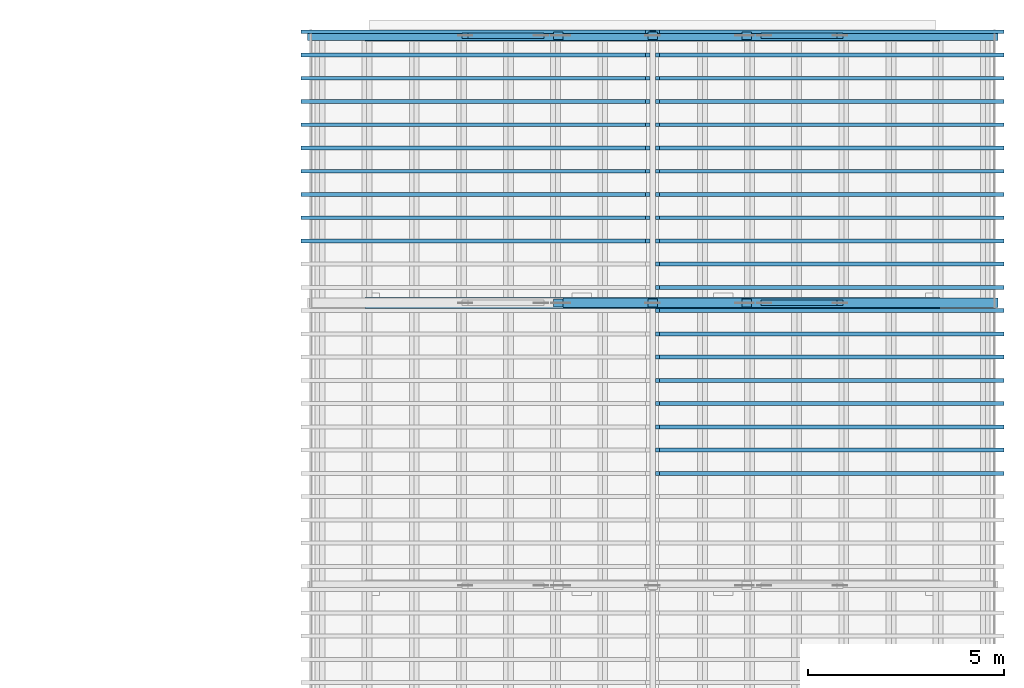
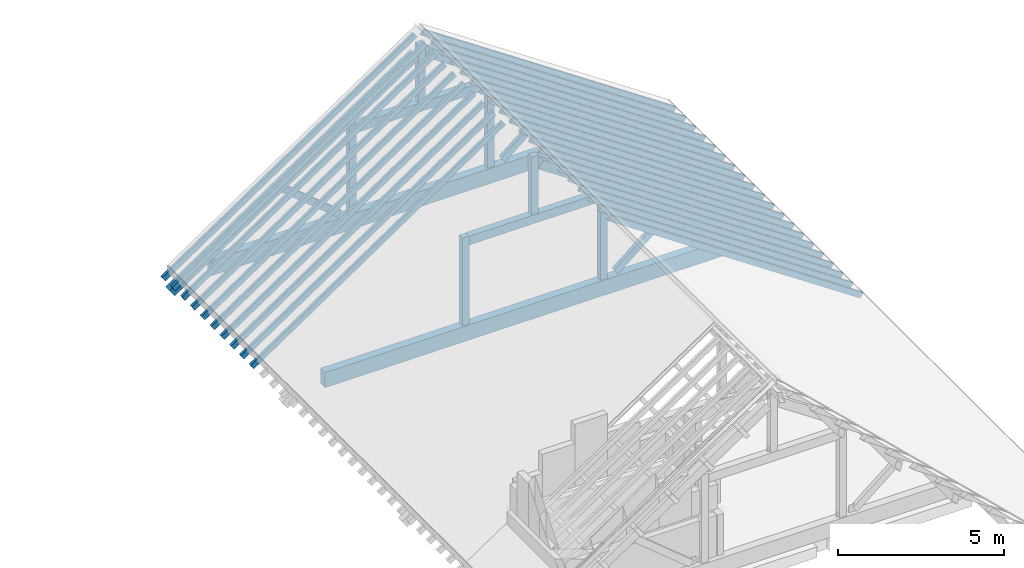
# One storey, part 16 of 51: 44 members, 2 beams.
"""IFC4 building model written with IfcOpenShell, lengths in metres."""

from ifc_helpers import new_model, si_unit, direction, frame, origin, origin_2d, place, context, subcontext, project, spatial, rectangle, extrude, material, material_profile, profile_set, type_object, element, save


model = new_model("IFC4")

# Units and contexts
model_context = context("Model", 3, precision=1e-05, world=origin(), true_north=direction((0.0, 1.0)))
body_context = subcontext(model_context, "Body", "Model", "MODEL_VIEW")
ifc_project = project(units=[si_unit("LENGTHUNIT", "METRE"), si_unit("AREAUNIT", "SQUARE_METRE"), si_unit("VOLUMEUNIT", "CUBIC_METRE"), si_unit("PLANEANGLEUNIT", "RADIAN"), si_unit("MASSUNIT", "GRAM", prefix="KILO")], contexts=[model_context])

# Site, building, storey
site_placement = place(None, origin())
site = spatial("IfcSite", under=ifc_project, at=site_placement, CompositionType="ELEMENT")
building_placement = place(site_placement, origin())
building = spatial("IfcBuilding", under=site, at=building_placement, Name="Mazhai Court Health Centre", CompositionType="ELEMENT")
storey_placement = place(building_placement, frame((0.0, 0.0, 14.10009765625)))
storey = spatial("IfcBuildingStorey", under=building, at=storey_placement, Name="L03", CompositionType="ELEMENT", Elevation=14.10009765625)

# Members
ifc_material_1 = material(Name="Glulam GL24h", Category="wood")
ifc_material_profile_1 = material_profile(ifc_material_1, rectangle(XDim=0.10009765625, YDim=0.199951171875, at=origin_2d()), Name="GL24h 100x200")
ifc_profile_set_1 = profile_set([ifc_material_profile_1], Name="Glulam GL24h")
member_type_1 = type_object("IfcMemberType", Name="GL24h 100x200 rafter", PredefinedType="RAFTER", material=ifc_profile_set_1)
for number, where, z_axis, x_axis, name in (
    (1, (134.10986328125, 43.77490234375, 0.296875), (0.829032291532, 0.0, 0.55920073283), (0.0, 1.0, 0.0), "Rafter RV6-RF64"),
    (2, (134.10986328125, 44.36669921875, 0.296875), (0.829032291532, 0.0, 0.55920073283), (0.0, 1.0, 0.0), "Rafter RV6-RF65"),
    (3, (134.10986328125, 44.958251953125, 0.296875), (0.829032291532, 0.0, 0.55920073283), (0.0, 1.0, 0.0), "Rafter RV6-RF66"),
    (4, (134.10986328125, 45.550048828125, 0.296875), (0.829032291532, 0.0, 0.55920073283), (0.0, 1.0, 0.0), "Rafter RV6-RF67"),
    (5, (134.10986328125, 46.1416015625, 0.296875), (0.829032291532, 0.0, 0.55920073283), (0.0, 1.0, 0.0), "Rafter RV6-RF68"),
    (6, (134.10986328125, 46.7333984375, 0.296875), (0.829032291532, 0.0, 0.55920073283), (0.0, 1.0, 0.0), "Rafter RV6-RF69"),
    (7, (134.10986328125, 47.324951171875, 0.296875), (0.829032291532, 0.0, 0.55920073283), (0.0, 1.0, 0.0), "Rafter RV6-RF70"),
    (8, (134.10986328125, 47.916748046875, 0.296875), (0.829032291532, 0.0, 0.55920073283), (0.0, 1.0, 0.0), "Rafter RV6-RF71"),
    (9, (134.10986328125, 48.50830078125, 0.296875), (0.829032291532, 0.0, 0.55920073283), (0.0, 1.0, 0.0), "Rafter RV6-RF72"),
    (10, (134.10986328125, 49.10009765625, 0.296875), (0.829032291532, 0.0, 0.55920073283), (0.0, 1.0, 0.0), "Rafter RV6-RF73"),
    (11, (151.89013671875, 49.10009765625, 0.296875), (-0.829032291532, 0.0, 0.55920073283), (0.0, -1.0, 0.0), "Rafter RV6-RF74"),
    (12, (151.89013671875, 48.50830078125, 0.296875), (-0.829032291532, 0.0, 0.55920073283), (0.0, -1.0, 0.0), "Rafter RV6-RF75"),
    (13, (151.89013671875, 47.916748046875, 0.296875), (-0.829032291532, 0.0, 0.55920073283), (0.0, -1.0, 0.0), "Rafter RV6-RF76"),
    (14, (151.89013671875, 47.324951171875, 0.296875), (-0.829032291532, 0.0, 0.55920073283), (0.0, -1.0, 0.0), "Rafter RV6-RF77"),
    (15, (151.89013671875, 46.7333984375, 0.296875), (-0.829032291532, 0.0, 0.55920073283), (0.0, -1.0, 0.0), "Rafter RV6-RF78"),
    (16, (151.89013671875, 46.1416015625, 0.296875), (-0.829032291532, 0.0, 0.55920073283), (0.0, -1.0, 0.0), "Rafter RV6-RF79"),
    (17, (151.89013671875, 45.550048828125, 0.296875), (-0.829032291532, 0.0, 0.55920073283), (0.0, -1.0, 0.0), "Rafter RV6-RF80"),
    (18, (151.89013671875, 44.958251953125, 0.296875), (-0.829032291532, 0.0, 0.55920073283), (0.0, -1.0, 0.0), "Rafter RV6-RF81"),
    (19, (151.89013671875, 44.36669921875, 0.296875), (-0.829032291532, 0.0, 0.55920073283), (0.0, -1.0, 0.0), "Rafter RV6-RF82"),
    (20, (151.89013671875, 43.77490234375, 0.296875), (-0.829032291532, 0.0, 0.55920073283), (0.0, -1.0, 0.0), "Rafter RV6-RF83"),
    (21, (151.89013671875, 43.183349609375, 0.296875), (-0.829032291532, 0.0, 0.55920073283), (0.0, -1.0, 0.0), "Rafter RV6-RF84"),
    (22, (151.89013671875, 42.591552734375, 0.296875), (-0.829032291532, 0.0, 0.55920073283), (0.0, -1.0, 0.0), "Rafter RV6-RF85"),
    (23, (151.89013671875, 42.0, 0.296875), (-0.829032291532, 0.0, 0.55920073283), (0.0, -1.0, 0.0), "Rafter RV6-RF86"),
    (24, (151.89013671875, 41.408447265625, 0.296875), (-0.829032291532, 0.0, 0.55920073283), (0.0, -1.0, 0.0), "Rafter RV6-RF87"),
    (25, (151.89013671875, 40.816650390625, 0.296875), (-0.829032291532, 0.0, 0.55920073283), (0.0, -1.0, 0.0), "Rafter RV6-RF88"),
    (26, (151.89013671875, 40.22509765625, 0.296875), (-0.829032291532, 0.0, 0.55920073283), (0.0, -1.0, 0.0), "Rafter RV6-RF89"),
    (27, (151.89013671875, 39.63330078125, 0.296875), (-0.829032291532, 0.0, 0.55920073283), (0.0, -1.0, 0.0), "Rafter RV6-RF90"),
    (28, (151.89013671875, 39.041748046875, 0.296875), (-0.829032291532, 0.0, 0.55920073283), (0.0, -1.0, 0.0), "Rafter RV6-RF91"),
    (29, (151.89013671875, 38.449951171875, 0.296875), (-0.829032291532, 0.0, 0.55920073283), (0.0, -1.0, 0.0), "Rafter RV6-RF92"),
    (30, (151.89013671875, 37.8583984375, 0.296875), (-0.829032291532, 0.0, 0.55920073283), (0.0, -1.0, 0.0), "Rafter RV6-RF93"),
):
    element("IfcMember", number, at=place(storey_placement, frame(where, z_axis=z_axis, x_axis=x_axis)), inside=storey, type_object=member_type_1, Name=name, PredefinedType="RAFTER", context=body_context, shape_type="SweptSolid", body=[
        extrude(rectangle(XDim=0.10009765625, YDim=0.199951171875, at=origin_2d()), origin(), (0.0, 0.0, 1.0), 10.571533203125),
    ])
ifc_material_2 = material(Name="Glulam GL24h", Category="wood")
ifc_material_profile_2 = material_profile(ifc_material_2, rectangle(XDim=0.139892578125, YDim=0.239990234375, at=origin_2d()), Name="GL24h 140x240")
ifc_profile_set_2 = profile_set([ifc_material_profile_2], Name="Glulam GL24h")
member_type_2 = type_object("IfcMemberType", Name="GL24h 140x240 strut", PredefinedType="BRACE", material=ifc_profile_set_2)
for number, where, z_axis, x_axis, name in (
    (31, (145.8408203125, 42.199951171875, 0.652587890625), (0.773172899775, 0.0, 0.634195290942), (0.0, 1.0, 0.0), "Strut TV6-6-S1"),
    (32, (145.8408203125, 49.0, 0.652587890625), (0.773172899775, 0.0, 0.634195290942), (0.0, 1.0, 0.0), "Strut TV6-7-S1"),
    (33, (140.1591796875, 49.0, 0.652587890625), (-0.773172899775, 0.0, 0.634195290942), (0.0, -1.0, 0.0), "Strut TV6-7-S2"),
):
    element("IfcMember", number, at=place(storey_placement, frame(where, z_axis=z_axis, x_axis=x_axis)), inside=storey, type_object=member_type_2, Name=name, PredefinedType="BRACE", context=body_context, shape_type="SweptSolid", body=[
        extrude(rectangle(XDim=0.139892578125, YDim=0.239990234375, at=origin_2d()), origin(), (0.0, 0.0, 1.0), 2.498046875),
    ])
ifc_material_3 = material(Name="Glulam GL28h", Category="wood")
ifc_material_profile_3 = material_profile(ifc_material_3, rectangle(XDim=0.199951171875, YDim=0.239990234375, at=origin_2d()), Name="GL28h 200x240")
ifc_profile_set_3 = profile_set([ifc_material_profile_3], Name="Glulam GL28h")
member_type_3 = type_object("IfcMemberType", Name="GL28h 200x240 post", PredefinedType="POST", material=ifc_profile_set_3)
for number, where, z_axis, x_axis, name in (
    (34, (145.39990234375, 42.199951171875, 0.559814453125), (0.0, 0.0, 1.0), (0.0, 1.0, 0.0), "Post TV6-6-P1"),
    (35, (140.60009765625, 42.199951171875, 0.559814453125), (0.0, 0.0, 1.0), (0.0, 1.0, 0.0), "Post TV6-6-P2"),
):
    element("IfcMember", number, at=place(storey_placement, frame(where, z_axis=z_axis, x_axis=x_axis)), inside=storey, type_object=member_type_3, Name=name, PredefinedType="POST", context=body_context, shape_type="SweptSolid", body=[
        extrude(rectangle(XDim=0.199951171875, YDim=0.239990234375, at=origin_2d()), origin(), (0.0, 0.0, 1.0), 3.23779296875),
    ])
member_1_placement = place(storey_placement, frame((143.0, 42.199951171875, 3.797607421875), z_axis=(0.0, 0.0, 1.0), x_axis=(0.0, 1.0, 0.0)))
element("IfcMember", 36, at=member_1_placement, inside=storey, type_object=member_type_3, Name="Post TV6-6-P3", PredefinedType="POST", context=body_context, shape_type="SweptSolid", body=[
    extrude(rectangle(XDim=0.199951171875, YDim=0.239990234375, at=origin_2d()), origin(), (0.0, 0.0, 1.0), 2.13525390625),
])
for number, where, z_axis, x_axis, name in (
    (37, (145.39990234375, 49.0, 0.559814453125), (0.0, 0.0, 1.0), (0.0, 1.0, 0.0), "Post TV6-7-P1"),
    (38, (140.60009765625, 49.0, 0.559814453125), (0.0, 0.0, 1.0), (0.0, 1.0, 0.0), "Post TV6-7-P2"),
):
    element("IfcMember", number, at=place(storey_placement, frame(where, z_axis=z_axis, x_axis=x_axis)), inside=storey, type_object=member_type_3, Name=name, PredefinedType="POST", context=body_context, shape_type="SweptSolid", body=[
        extrude(rectangle(XDim=0.199951171875, YDim=0.239990234375, at=origin_2d()), origin(), (0.0, 0.0, 1.0), 3.23779296875),
    ])
member_2_placement = place(storey_placement, frame((143.0, 49.0, 3.797607421875), z_axis=(0.0, 0.0, 1.0), x_axis=(0.0, 1.0, 0.0)))
element("IfcMember", 39, at=member_2_placement, inside=storey, type_object=member_type_3, Name="Post TV6-7-P3", PredefinedType="POST", context=body_context, shape_type="SweptSolid", body=[
    extrude(rectangle(XDim=0.199951171875, YDim=0.239990234375, at=origin_2d()), origin(), (0.0, 0.0, 1.0), 2.13525390625),
])
ifc_material_4 = material(Name="Glulam GL28h", Category="wood")
ifc_material_profile_4 = material_profile(ifc_material_4, rectangle(XDim=0.239990234375, YDim=0.320068359375, at=origin_2d()), Name="GL28h 240x320")
ifc_profile_set_4 = profile_set([ifc_material_profile_4], Name="Glulam GL28h")
member_type_4 = type_object("IfcMemberType", Name="GL28h 240x320 collar", PredefinedType="COLLAR", material=ifc_profile_set_4)
for number, where, z_axis, x_axis, name in (
    (40, (145.280029296875, 42.199951171875, 3.637451171875), (-1.0, 0.0, 0.0), (0.0, -1.0, 0.0), "Collar TV6-6-SB1"),
    (41, (145.280029296875, 49.0, 3.637451171875), (-1.0, 0.0, 0.0), (0.0, -1.0, 0.0), "Collar TV6-7-SB1"),
):
    element("IfcMember", number, at=place(storey_placement, frame(where, z_axis=z_axis, x_axis=x_axis)), inside=storey, type_object=member_type_4, Name=name, PredefinedType="COLLAR", context=body_context, shape_type="SweptSolid", body=[
        extrude(rectangle(XDim=0.239990234375, YDim=0.320068359375, at=origin_2d()), origin(), (0.0, 0.0, 1.0), 4.56005859375),
    ])
ifc_material_5 = material(Name="Glulam GL28h", Category="wood")
ifc_material_profile_5 = material_profile(ifc_material_5, rectangle(XDim=0.239990234375, YDim=0.320068359375, at=origin_2d()), Name="GL28h 240x320")
ifc_profile_set_5 = profile_set([ifc_material_profile_5], Name="Glulam GL28h")
member_type_5 = type_object("IfcMemberType", Name="GL28h 240x320 rafter", PredefinedType="CHORD", material=ifc_profile_set_5)
for number, where, z_axis, x_axis, name in (
    (42, (151.699951171875, 42.199951171875, -0.177978515625), (-0.829032362215, 0.0, 0.559200628041), (0.0, -1.0, 0.0), "Rafter TV6-6-R1"),
    (43, (151.699951171875, 49.0, -0.177978515625), (-0.829032362215, 0.0, 0.559200628041), (0.0, -1.0, 0.0), "Rafter TV6-7-R1"),
    (44, (142.805419921875, 49.0, 5.55908203125), (-0.829032362215, 0.0, -0.559200628041), (0.0, -1.0, 0.0), "Rafter TV6-7-R8"),
):
    element("IfcMember", number, at=place(storey_placement, frame(where, z_axis=z_axis, x_axis=x_axis)), inside=storey, type_object=member_type_5, Name=name, PredefinedType="CHORD", context=body_context, shape_type="SweptSolid", body=[
        extrude(rectangle(XDim=0.239990234375, YDim=0.320068359375, at=origin_2d()), origin(), (0.0, 0.0, 1.0), 10.25927734375),
    ])

# Beams
ifc_material_6 = material(Name="Glulam GL28h", Category="wood")
ifc_material_profile_6 = material_profile(ifc_material_6, rectangle(XDim=0.280029296875, YDim=0.56005859375, at=origin_2d()), Name="GL28h 280x560")
ifc_profile_set_6 = profile_set([ifc_material_profile_6], Name="Glulam GL28h")
beam_type = type_object("IfcBeamType", Name="GL28h 280x560 tie", PredefinedType="BEAM", material=ifc_profile_set_6)
for number, where, z_axis, x_axis, name in (
    (45, (150.320068359375, 42.199951171875, 0.27978515625), (-1.0, 0.0, 0.0), (0.0, -1.0, 0.0), "Tie TV6-6-TB1"),
    (46, (150.320068359375, 49.0, 0.27978515625), (-1.0, 0.0, 0.0), (0.0, -1.0, 0.0), "Tie TV6-7-TB1"),
):
    element("IfcBeam", number, at=place(storey_placement, frame(where, z_axis=z_axis, x_axis=x_axis)), inside=storey, type_object=beam_type, Name=name, PredefinedType="BEAM", context=body_context, shape_type="SweptSolid", body=[
        extrude(rectangle(XDim=0.280029296875, YDim=0.56005859375, at=origin_2d()), origin(), (0.0, 0.0, 1.0), 14.64013671875),
    ])

save(model, "model.ifc")
